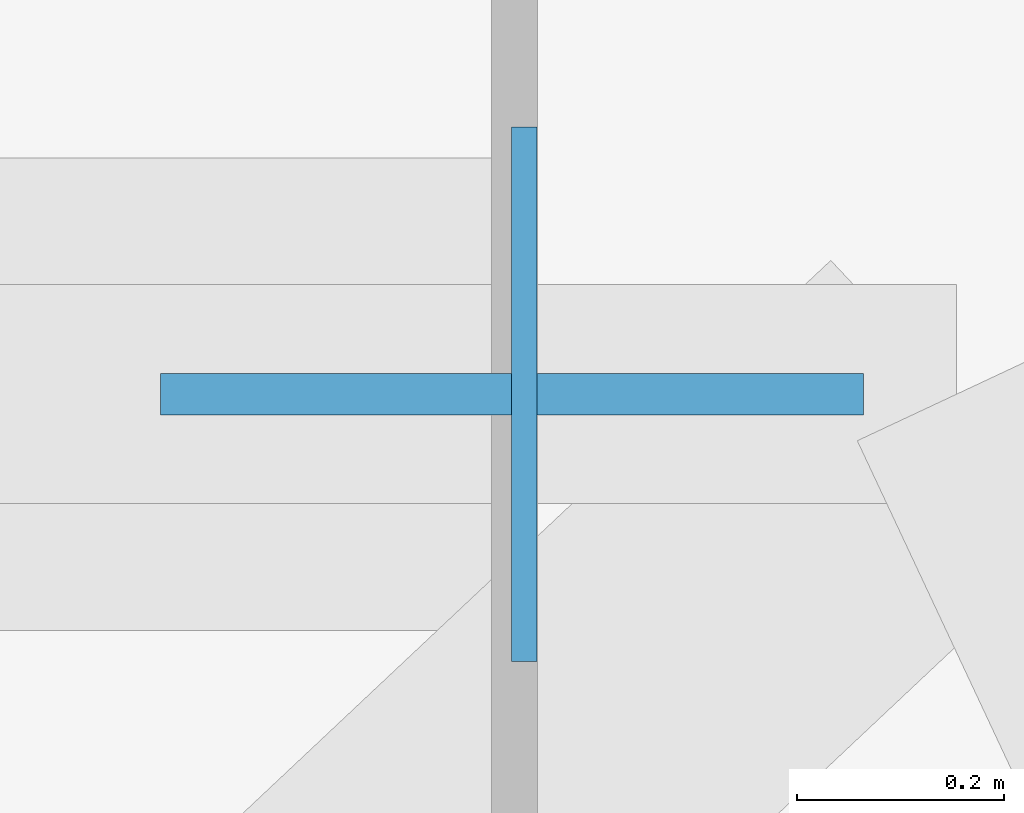
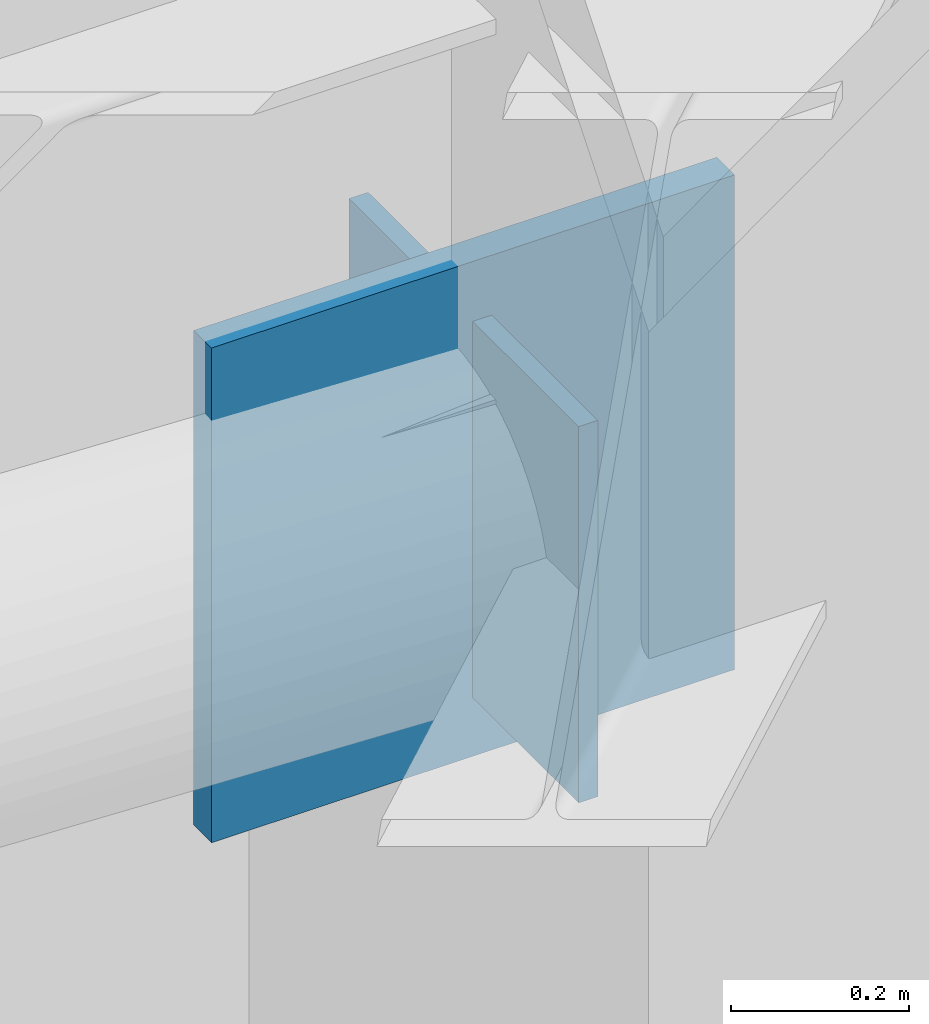
# One storey, part 4 of 11: 2 plates.
"""IFC4 building model written with IfcOpenShell, lengths in metres."""

from ifc_helpers import new_model, si_unit, direction, frame, origin, origin_2d, place, context, subcontext, project, spatial, rectangle, extrude, material, layer, layer_set, type_object, element, save


model = new_model("IFC4")

# Units and contexts
model_context = context("Model", 3, precision=1e-05, world=origin(), true_north=direction((0.0, 1.0)))
body_context = subcontext(model_context, "Body", "Model", "MODEL_VIEW")
ifc_project = project(units=[si_unit("LENGTHUNIT", "METRE"), si_unit("AREAUNIT", "SQUARE_METRE"), si_unit("VOLUMEUNIT", "CUBIC_METRE"), si_unit("PLANEANGLEUNIT", "RADIAN"), si_unit("MASSUNIT", "GRAM", prefix="KILO")], contexts=[model_context])

# Site, building, storey
site_placement = place(None, origin())
site = spatial("IfcSite", under=ifc_project, at=site_placement, CompositionType="ELEMENT")
building_placement = place(site_placement, origin())
building = spatial("IfcBuilding", under=site, at=building_placement, Name="Khamvora Tower", CompositionType="ELEMENT")
storey_placement = place(building_placement, frame((0.0, 0.0, 163.199951171875)))
storey = spatial("IfcBuildingStorey", under=building, at=storey_placement, Name="L41", CompositionType="ELEMENT", Elevation=163.199951171875)

# Plates
ifc_material_1 = material(Name="Steel S355", Category="steel")
ifc_layer_1 = layer(ifc_material_1, 0.02490234375)
ifc_layer_set_1 = layer_set([ifc_layer_1], Name="Steel S355")
plate_type_1 = type_object("IfcPlateType", Name="PL-CAP-25", PredefinedType="SHEET", material=ifc_layer_set_1)
plate_1_placement = place(storey_placement, frame((56.33203125, 44.5, 2.4384765625), z_axis=(0.0, 0.0, 1.0), x_axis=(-1.0, 0.0, 0.0)))
element("IfcPlate", 1, at=plate_1_placement, inside=storey, type_object=plate_type_1, Name="L41 hollow section steel end cap plate 0946", PredefinedType="SHEET", context=body_context, shape_type="SweptSolid", body=[
    extrude(rectangle(XDim=0.02490234375, YDim=0.51708984375, at=origin_2d()), origin(), (0.0, 0.0, 1.0), 0.51708984375),
])
ifc_material_2 = material(Name="Steel S460", Category="steel")
ifc_layer_2 = layer(ifc_material_2, 0.0400390625)
ifc_layer_set_2 = layer_set([ifc_layer_2], Name="Steel S460")
plate_type_2 = type_object("IfcPlateType", Name="PLT-GUS-40", PredefinedType="SHEET", material=ifc_layer_set_2)
plate_2_placement = place(storey_placement, frame((56.320068359375, 44.5, 2.35791015625), z_axis=(0.0, 0.0, 1.0), x_axis=(1.0, 0.0, 0.0)))
element("IfcPlate", 2, at=plate_2_placement, inside=storey, type_object=plate_type_2, Name="L41 brace connection node gusset plate 0283", PredefinedType="SHEET", context=body_context, shape_type="SweptSolid", body=[
    extrude(rectangle(XDim=0.679931640625, YDim=0.0400390625, at=origin_2d()), origin(), (0.0, 0.0, 1.0), 0.679931640625),
])

save(model, "model.ifc")
